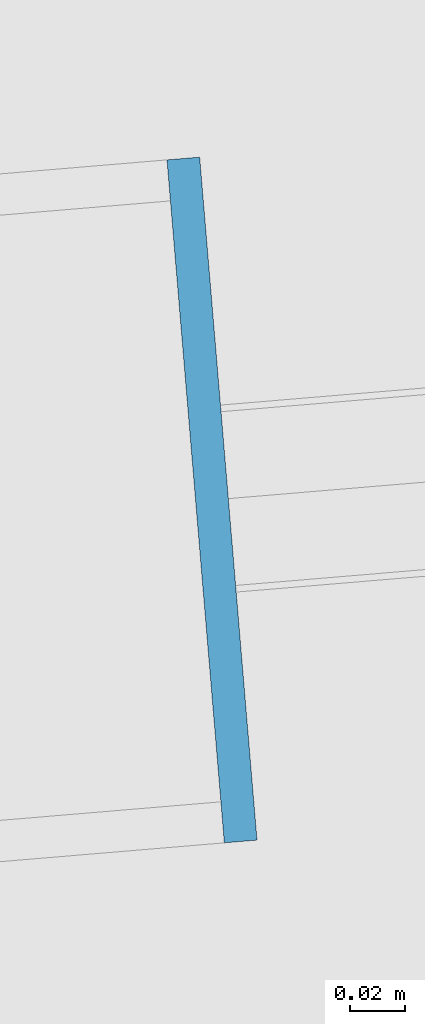
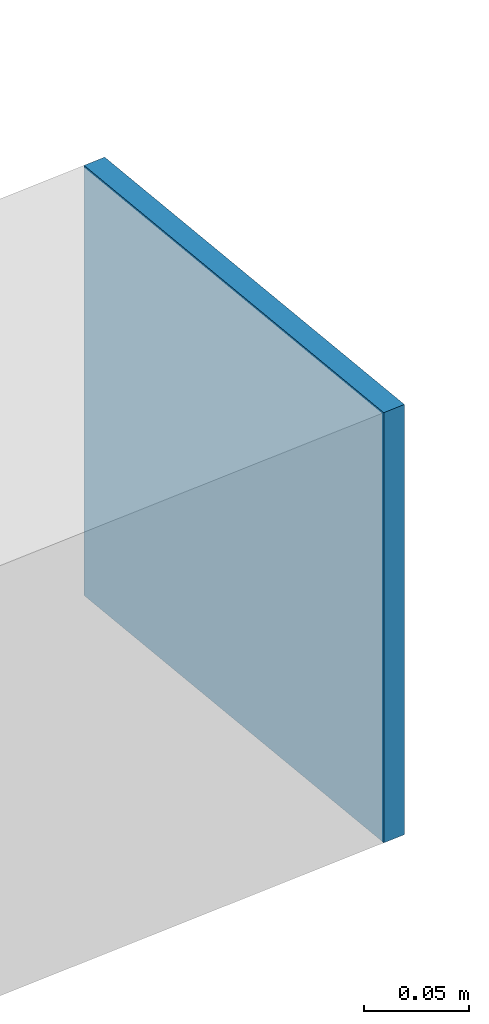
# One storey, part 31 of 39: 1 plate.
"""IFC4 building model written with IfcOpenShell, lengths in metres."""

from ifc_helpers import new_model, si_unit, direction, frame, origin, origin_2d, place, context, subcontext, project, spatial, rectangle, extrude, source, transform, mapped, material, layer, layer_set, type_object, element, save


model = new_model("IFC4")

# Units and contexts
model_context = context("Model", 3, precision=1e-05, world=origin(), true_north=direction((0.0, 1.0)))
body_context = subcontext(model_context, "Body", "Model", "MODEL_VIEW")
ifc_project = project(units=[si_unit("LENGTHUNIT", "METRE"), si_unit("AREAUNIT", "SQUARE_METRE"), si_unit("VOLUMEUNIT", "CUBIC_METRE"), si_unit("PLANEANGLEUNIT", "RADIAN"), si_unit("MASSUNIT", "GRAM", prefix="KILO")], contexts=[model_context])

# Site, building, storey
site_placement = place(None, origin())
site = spatial("IfcSite", under=ifc_project, at=site_placement, CompositionType="ELEMENT")
building_placement = place(site_placement, origin())
building = spatial("IfcBuilding", under=site, at=building_placement, Name="Taldren Reach Tower", CompositionType="ELEMENT")
storey_placement = place(building_placement, frame((0.0, 0.0, 204.050048828125)))
storey = spatial("IfcBuildingStorey", under=building, at=storey_placement, Name="L62", CompositionType="ELEMENT", Elevation=204.050048828125)

# Plate
ifc_material = material(Name="Steel Gr 350 (C350L0)", Category="steel")
ifc_layer = layer(ifc_material, 0.011962890625)
ifc_layer_set = layer_set([ifc_layer], Name="Steel Gr 350 (C350L0)")
plate_type = type_object("IfcPlateType", Name="PL-CAP-250", PredefinedType="SHEET", material=ifc_layer_set)
shared_shape = source(origin(), body_context, "Body", "SweptSolid", [
    extrude(rectangle(XDim=0.011962890625, YDim=0.25, at=origin_2d()), origin(), (0.0, 0.0, 1.0), 0.25),
])
plate_placement = place(storey_placement, frame((62.167724609375, 21.60498046875, 0.094970703125), z_axis=(0.0, 0.0, 1.0), x_axis=(0.99649285925, 0.083677843332, 0.0)))
element("IfcPlate", 1, at=plate_placement, inside=storey, type_object=plate_type, Name="Tie strut end cap plate B4-E2 L62", PredefinedType="SHEET", context=body_context, shape_type="MappedRepresentation", body=[
    mapped(shared_shape, transform((0.0, 0.0, 0.0), scale=1.0)),
])

save(model, "model.ifc")
